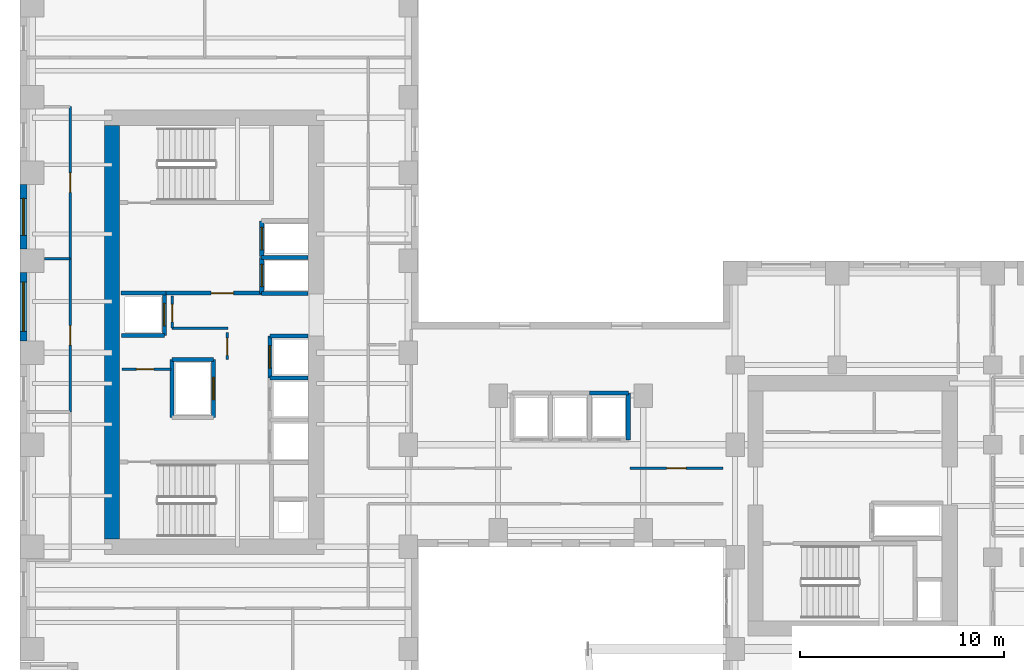
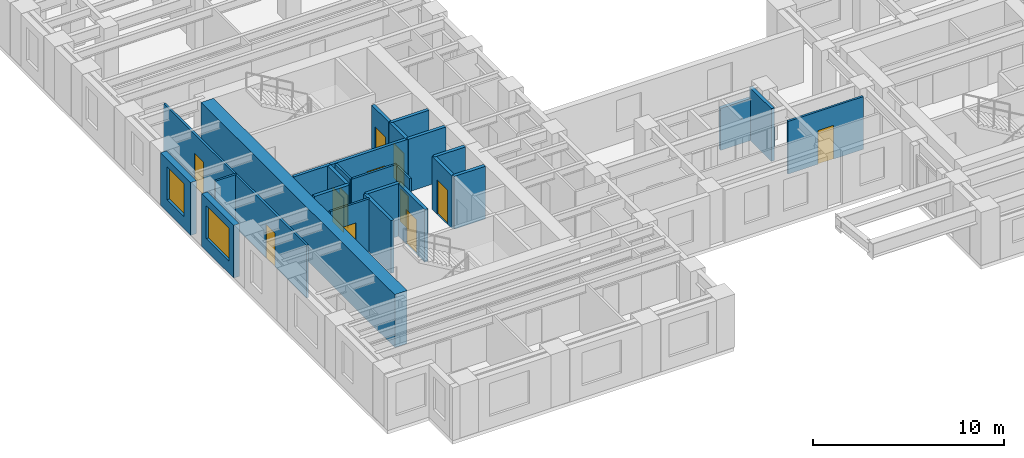
# One storey, part 8 of 14: 27 walls, 12 doors, 2 windows, 14 openings.
"""IFC4 building model written with IfcOpenShell, lengths in metres."""

from ifc_helpers import new_model, si_unit, direction, frame, frame_2d, origin, place, context, subcontext, project, spatial, rectangle, extrude, source, transform, mapped, material, layer, layer_set, type_object, element, fill, save


model = new_model("IFC4")

# Units and contexts
model_context = context("Model", 3, precision=1e-05, world=origin(), true_north=direction((0.0, 1.0)))
body_context = subcontext(model_context, "Body", "Model", "MODEL_VIEW")
ifc_project = project(units=[si_unit("LENGTHUNIT", "METRE"), si_unit("AREAUNIT", "SQUARE_METRE"), si_unit("VOLUMEUNIT", "CUBIC_METRE"), si_unit("PLANEANGLEUNIT", "RADIAN"), si_unit("MASSUNIT", "GRAM", prefix="KILO")], contexts=[model_context])

# Site, building, storey
site_placement = place(None, origin())
site = spatial("IfcSite", under=ifc_project, at=site_placement, CompositionType="ELEMENT")
building_placement = place(site_placement, origin())
building = spatial("IfcBuilding", under=site, at=building_placement, Name="Kharzan Plaza Tower", CompositionType="ELEMENT")
storey_placement = place(building_placement, frame((0.0, 0.0, 131.39990234375)))
storey = spatial("IfcBuildingStorey", under=building, at=storey_placement, Name="L35", CompositionType="ELEMENT", Elevation=131.39990234375)

# Wall, opening, window
ifc_material_1 = material(Name="Concrete C40/50", Category="concrete")
ifc_layer_1 = layer(ifc_material_1, 0.35009765625)
ifc_layer_set_1 = layer_set([ifc_layer_1], Name="Concrete C40/50")
wall_type_1 = type_object("IfcWallType", Name="WL-EXT-MAS-Z2", PredefinedType="SOLIDWALL", material=ifc_layer_set_1)
wall_1_placement = place(storey_placement, frame((0.175048828125, 26.22705078125, 0.0), z_axis=(0.0, 0.0, 1.0), x_axis=(0.0, -1.0, 0.0)))
wall_1 = element("IfcWall", 1, at=wall_1_placement, inside=storey, type_object=wall_type_1, Name="L35 Masonry-Frame Exterior Wall 21", PredefinedType="SOLIDWALL", context=body_context, shape_type="SweptSolid", body=[
    extrude(rectangle(XDim=3.154052734375, YDim=0.35009765625, at=frame_2d((1.5771484375, 0.0))), origin(), (0.0, 0.0, 1.0), 3.364990234375),
])
opening_1_placement = place(wall_1_placement, frame((0.677001953125, 0.0, 0.780029296875)))
opening_1 = element("IfcOpeningElement", 2, at=opening_1_placement, cuts=wall_1, Name="Opening W1", PredefinedType="OPENING", context=body_context, shape_type="SweptSolid", body=[
    extrude(rectangle(XDim=1.800048828125, YDim=2.10009765625, at=frame_2d((0.89990234375, 1.050048828125))), frame((0.0, 0.18505859375, 0.0), z_axis=(0.0, -1.0, 0.0), x_axis=(1.0, 0.0, 0.0)), (0.0, 0.0, 1.0), 0.3701171875),
])
ifc_material_2 = material(Name="Low-E Double Glazing", Category="glass")
window_type_1 = type_object("IfcWindowType", Name="WN-REC-1800x2100", PartitioningType="SINGLE_PANEL", PredefinedType="WINDOW", material=ifc_material_2)
shared_shape_1 = source(origin(), body_context, "Body", "SweptSolid", [
    extrude(rectangle(XDim=1.800048828125, YDim=2.10009765625, at=frame_2d((0.89990234375, 1.050048828125))), frame((0.0, 0.030029296875, 0.0), z_axis=(0.0, -1.0, 0.0), x_axis=(1.0, 0.0, 0.0)), (0.0, 0.0, 1.0), 0.06005859375),
])
window_1_placement = place(opening_1_placement, origin())
window_1 = element("IfcWindow", 3, at=window_1_placement, inside=storey, type_object=window_type_1, Name="L35 Recessed Solar-Control Window 21-1", OverallHeight=2.10009765625, OverallWidth=1.800048828125, PartitioningType="SINGLE_PANEL", PredefinedType="WINDOW", context=body_context, shape_type="MappedRepresentation", body=[
    mapped(shared_shape_1, transform((0.0, 0.0, 0.0), x_axis=(1.0, 0.0, 0.0), y_axis=(0.0, 1.0, 0.0), z_axis=(0.0, 0.0, 1.0))),
])
fill(opening_1, window_1)

wall_2_placement = place(storey_placement, frame((0.175048828125, 21.927001953125, 0.0), z_axis=(0.0, 0.0, 1.0), x_axis=(0.0, -1.0, 0.0)))
wall_2 = element("IfcWall", 4, at=wall_2_placement, inside=storey, type_object=wall_type_1, Name="L35 Masonry-Frame Exterior Wall 22", PredefinedType="SOLIDWALL", context=body_context, shape_type="SweptSolid", body=[
    extrude(rectangle(XDim=3.35400390625, YDim=0.35009765625, at=frame_2d((1.677001953125, 0.0))), origin(), (0.0, 0.0, 1.0), 3.364990234375),
])
opening_2_placement = place(wall_2_placement, frame((0.47705078125, 0.0, 0.780029296875)))
opening_2 = element("IfcOpeningElement", 5, at=opening_2_placement, cuts=wall_2, Name="Opening W2", PredefinedType="OPENING", context=body_context, shape_type="SweptSolid", body=[
    extrude(rectangle(XDim=2.39990234375, YDim=2.10009765625, at=frame_2d((1.199951171875, 1.050048828125))), frame((0.0, 0.18505859375, 0.0), z_axis=(0.0, -1.0, 0.0), x_axis=(1.0, 0.0, 0.0)), (0.0, 0.0, 1.0), 0.3701171875),
])
window_type_2 = type_object("IfcWindowType", Name="WN-REC-2400x2100", PartitioningType="SINGLE_PANEL", PredefinedType="WINDOW", material=ifc_material_2)
shared_shape_2 = source(origin(), body_context, "Body", "SweptSolid", [
    extrude(rectangle(XDim=2.39990234375, YDim=2.10009765625, at=frame_2d((1.199951171875, 1.050048828125))), frame((0.0, 0.030029296875, 0.0), z_axis=(0.0, -1.0, 0.0), x_axis=(1.0, 0.0, 0.0)), (0.0, 0.0, 1.0), 0.06005859375),
])
window_2_placement = place(opening_2_placement, origin())
window_2 = element("IfcWindow", 6, at=window_2_placement, inside=storey, type_object=window_type_2, Name="L35 Wide Recessed Solar-Control Window 22-1", OverallHeight=2.10009765625, OverallWidth=2.39990234375, PartitioningType="SINGLE_PANEL", PredefinedType="WINDOW", context=body_context, shape_type="MappedRepresentation", body=[
    mapped(shared_shape_2, transform((0.0, 0.0, 0.0), x_axis=(1.0, 0.0, 0.0), y_axis=(0.0, 1.0, 0.0), z_axis=(0.0, 0.0, 1.0))),
])
fill(opening_2, window_2)

# Wall, opening, door
ifc_layer_2 = layer(ifc_material_1, 0.179931640625)
ifc_layer_set_2 = layer_set([ifc_layer_2], Name="Concrete C40/50")
wall_type_2 = type_object("IfcWallType", Name="WL-INT-FIRE-180", PredefinedType="PARTITIONING", material=ifc_layer_set_2)
wall_3_placement = place(storey_placement, frame((7.14990234375, 20.919921875, 0.0), z_axis=(0.0, 0.0, 1.0), x_axis=(1.0, 0.0, 0.0)))
wall_3 = element("IfcWall", 7, at=wall_3_placement, inside=storey, type_object=wall_type_2, Name="L35 Interior Partition CA-FF-S", PredefinedType="PARTITIONING", context=body_context, shape_type="SweptSolid", body=[
    extrude(rectangle(XDim=4.68017578125, YDim=0.179931640625, at=frame_2d((2.340087890625, 0.0))), origin(), (0.0, 0.0, 1.0), 3.364990234375),
])
opening_3_placement = place(wall_3_placement, frame((2.199951171875, 0.0, 0.0)))
opening_3 = element("IfcOpeningElement", 8, at=opening_3_placement, cuts=wall_3, Name="Opening FD1", PredefinedType="OPENING", context=body_context, shape_type="SweptSolid", body=[
    extrude(rectangle(XDim=1.10009765625, YDim=2.14990234375, at=frame_2d((0.550048828125, 1.074951171875))), frame((0.0, 0.099853515625, 0.0), z_axis=(0.0, -1.0, 0.0), x_axis=(1.0, 0.0, 0.0)), (0.0, 0.0, 1.0), 0.199951171875),
])
ifc_material_3 = material(Name="Fire-Rated Acoustic Vision-Panel Steel", Category="steel")
door_type_1 = type_object("IfcDoorType", Name="DR-FIRE-LOBBY", OperationType="NOTDEFINED", PredefinedType="DOOR", material=ifc_material_3)
shared_shape_3 = source(origin(), body_context, "Body", "SweptSolid", [
    extrude(rectangle(XDim=1.10009765625, YDim=2.14990234375, at=frame_2d((0.550048828125, 1.074951171875))), frame((0.0, 0.02490234375, 0.0), z_axis=(0.0, -1.0, 0.0), x_axis=(1.0, 0.0, 0.0)), (0.0, 0.0, 1.0), 0.050048828125),
])
door_1_placement = place(opening_3_placement, origin())
door_1 = element("IfcDoor", 9, at=door_1_placement, inside=storey, type_object=door_type_1, Name="L35 Firefighting Lobby Door", OperationType="SINGLE_SWING_RIGHT", OverallHeight=2.14990234375, OverallWidth=1.10009765625, PredefinedType="DOOR", context=body_context, shape_type="MappedRepresentation", body=[
    mapped(shared_shape_3, transform((0.0, 0.0, 0.0), x_axis=(1.0, 0.0, 0.0), y_axis=(0.0, 1.0, 0.0), z_axis=(0.0, 0.0, 1.0))),
])
fill(opening_3, door_1)

ifc_material_4 = material(Name="Fire-Rated Gypsum Board Partition", Category="gypsum")
ifc_layer_3 = layer(ifc_material_4, 0.125)
ifc_layer_set_3 = layer_set([ifc_layer_3], Name="Fire-Rated Gypsum Board Partition")
wall_type_3 = type_object("IfcWallType", Name="WL-INT-PART-125", PredefinedType="PARTITIONING", material=ifc_layer_set_3)
wall_4_placement = place(storey_placement, frame((10.14990234375, 17.679931640625, 0.0), z_axis=(0.0, 0.0, 1.0), x_axis=(0.0, 1.0, 0.0)))
wall_4 = element("IfcWall", 10, at=wall_4_placement, inside=storey, type_object=wall_type_3, Name="L35 Interior Partition CA-K2A", PredefinedType="PARTITIONING", context=body_context, shape_type="SweptSolid", body=[
    extrude(rectangle(XDim=1.320068359375, YDim=0.125, at=frame_2d((0.66015625, 0.0))), origin(), (0.0, 0.0, 1.0), 3.364990234375),
])
opening_4_placement = place(wall_4_placement, frame((0.18505859375, 0.0, 0.0)))
opening_4 = element("IfcOpeningElement", 11, at=opening_4_placement, cuts=wall_4, Name="Opening RD1", PredefinedType="OPENING", context=body_context, shape_type="SweptSolid", body=[
    extrude(rectangle(XDim=0.85009765625, YDim=2.10009765625, at=frame_2d((0.425048828125, 1.050048828125))), frame((0.0, 0.072509765625, 0.0), z_axis=(0.0, -1.0, 0.0), x_axis=(1.0, 0.0, 0.0)), (0.0, 0.0, 1.0), 0.14501953125),
])
ifc_material_5 = material(Name="Powder-Coated Fire-Rated Steel", Category="steel")
door_type_2 = type_object("IfcDoorType", Name="DR-RISER-900", OperationType="NOTDEFINED", PredefinedType="DOOR", material=ifc_material_5)
shared_shape_4 = source(origin(), body_context, "Body", "SweptSolid", [
    extrude(rectangle(XDim=0.85009765625, YDim=2.10009765625, at=frame_2d((0.425048828125, 1.050048828125))), frame((0.0, 0.02490234375, 0.0), z_axis=(0.0, -1.0, 0.0), x_axis=(1.0, 0.0, 0.0)), (0.0, 0.0, 1.0), 0.050048828125),
])
door_2_placement = place(opening_4_placement, origin())
door_2 = element("IfcDoor", 12, at=door_2_placement, inside=storey, type_object=door_type_2, Name="L35 Core Mechanical Store Door", OperationType="SINGLE_SWING_LEFT", OverallHeight=2.10009765625, OverallWidth=0.85009765625, PredefinedType="DOOR", context=body_context, shape_type="MappedRepresentation", body=[
    mapped(shared_shape_4, transform((0.0, 0.0, 0.0), x_axis=(1.0, 0.0, 0.0), y_axis=(0.0, 1.0, 0.0), z_axis=(0.0, 0.0, 1.0))),
])
fill(opening_4, door_2)

wall_5_placement = place(storey_placement, frame((7.449951171875, 19.199951171875, 0.0), z_axis=(0.0, 0.0, 1.0), x_axis=(0.0, 1.0, 0.0)))
wall_5 = element("IfcWall", 13, at=wall_5_placement, inside=storey, type_object=wall_type_3, Name="L35 Interior Partition CA-K2B", PredefinedType="PARTITIONING", context=body_context, shape_type="SweptSolid", body=[
    extrude(rectangle(XDim=1.580078125, YDim=0.125, at=frame_2d((0.7900390625, 0.0))), origin(), (0.0, 0.0, 1.0), 3.364990234375),
])
opening_5_placement = place(wall_5_placement, frame((0.31494140625, 0.0, 0.0)))
opening_5 = element("IfcOpeningElement", 14, at=opening_5_placement, cuts=wall_5, Name="Opening RD1", PredefinedType="OPENING", context=body_context, shape_type="SweptSolid", body=[
    extrude(rectangle(XDim=0.85009765625, YDim=2.10009765625, at=frame_2d((0.425048828125, 1.050048828125))), frame((0.0, 0.072509765625, 0.0), z_axis=(0.0, -1.0, 0.0), x_axis=(1.0, 0.0, 0.0)), (0.0, 0.0, 1.0), 0.14501953125),
])
door_3_placement = place(opening_5_placement, origin())
door_3 = element("IfcDoor", 15, at=door_3_placement, inside=storey, type_object=door_type_2, Name="L35 Core Plant Store Door", OperationType="SINGLE_SWING_RIGHT", OverallHeight=2.10009765625, OverallWidth=0.85009765625, PredefinedType="DOOR", context=body_context, shape_type="MappedRepresentation", body=[
    mapped(shared_shape_4, transform((0.0, 0.0, 0.0), x_axis=(1.0, 0.0, 0.0), y_axis=(0.0, 1.0, 0.0), z_axis=(0.0, 0.0, 1.0))),
])
fill(opening_5, door_3)

wall_6_placement = place(storey_placement, frame((5.0, 17.199951171875, 0.0), z_axis=(0.0, 0.0, 1.0), x_axis=(1.0, 0.0, 0.0)))
wall_6 = element("IfcWall", 16, at=wall_6_placement, inside=storey, type_object=wall_type_3, Name="L35 Interior Partition CA-K2N0", PredefinedType="PARTITIONING", context=body_context, shape_type="SweptSolid", body=[
    extrude(rectangle(XDim=2.39990234375, YDim=0.125, at=frame_2d((1.199951171875, 0.0))), origin(), (0.0, 0.0, 1.0), 3.364990234375),
])
opening_6_placement = place(wall_6_placement, frame((0.699951171875, 0.0, 0.0)))
opening_6 = element("IfcOpeningElement", 17, at=opening_6_placement, cuts=wall_6, Name="Opening RD1", PredefinedType="OPENING", context=body_context, shape_type="SweptSolid", body=[
    extrude(rectangle(XDim=0.85009765625, YDim=2.10009765625, at=frame_2d((0.425048828125, 1.050048828125))), frame((0.0, 0.072509765625, 0.0), z_axis=(0.0, -1.0, 0.0), x_axis=(1.0, 0.0, 0.0)), (0.0, 0.0, 1.0), 0.14501953125),
])
door_4_placement = place(opening_6_placement, origin())
door_4 = element("IfcDoor", 18, at=door_4_placement, inside=storey, type_object=door_type_2, Name="L35 Core Electrical Store Door", OperationType="SINGLE_SWING_RIGHT", OverallHeight=2.10009765625, OverallWidth=0.85009765625, PredefinedType="DOOR", context=body_context, shape_type="MappedRepresentation", body=[
    mapped(shared_shape_4, transform((0.0, 0.0, 0.0), x_axis=(1.0, 0.0, 0.0), y_axis=(0.0, 1.0, 0.0), z_axis=(0.0, 0.0, 1.0))),
])
fill(opening_6, door_4)

wall_7_placement = place(storey_placement, frame((29.85009765625, 12.35009765625, 0.0), z_axis=(0.0, 0.0, 1.0), x_axis=(1.0, 0.0, 0.0)))
wall_7 = element("IfcWall", 19, at=wall_7_placement, inside=storey, type_object=wall_type_3, Name="L35 Interior Partition SH-SPNE1", PredefinedType="PARTITIONING", context=body_context, shape_type="SweptSolid", body=[
    extrude(rectangle(XDim=4.5498046875, YDim=0.125, at=frame_2d((2.27490234375, 0.0))), origin(), (0.0, 0.0, 1.0), 3.364990234375),
])
opening_7_placement = place(wall_7_placement, frame((1.800048828125, 0.0, 0.0)))
opening_7 = element("IfcOpeningElement", 20, at=opening_7_placement, cuts=wall_7, Name="Opening OD1", PredefinedType="OPENING", context=body_context, shape_type="SweptSolid", body=[
    extrude(rectangle(XDim=0.949951171875, YDim=2.14990234375, at=frame_2d((0.47509765625, 1.074951171875))), frame((0.0, 0.072509765625, 0.0), z_axis=(0.0, -1.0, 0.0), x_axis=(1.0, 0.0, 0.0)), (0.0, 0.0, 1.0), 0.14501953125),
])
ifc_material_6 = material(Name="Acoustic Solid-Core Stained Oak", Category="timber")
door_type_3 = type_object("IfcDoorType", Name="DR-OFF-SINGLE", OperationType="NOTDEFINED", PredefinedType="DOOR", material=ifc_material_6)
shared_shape_5 = source(origin(), body_context, "Body", "SweptSolid", [
    extrude(rectangle(XDim=0.949951171875, YDim=2.14990234375, at=frame_2d((0.47509765625, 1.074951171875))), frame((0.0, 0.02490234375, 0.0), z_axis=(0.0, -1.0, 0.0), x_axis=(1.0, 0.0, 0.0)), (0.0, 0.0, 1.0), 0.050048828125),
])
door_5_placement = place(opening_7_placement, origin())
door_5 = element("IfcDoor", 21, at=door_5_placement, inside=storey, type_object=door_type_3, Name="L35 North-East Spine Door", OperationType="SINGLE_SWING_RIGHT", OverallHeight=2.14990234375, OverallWidth=0.949951171875, PredefinedType="DOOR", context=body_context, shape_type="MappedRepresentation", body=[
    mapped(shared_shape_5, transform((0.0, 0.0, 0.0), x_axis=(1.0, 0.0, 0.0), y_axis=(0.0, 1.0, 0.0), z_axis=(0.0, 0.0, 1.0))),
])
fill(opening_7, door_5)

wall_8_placement = place(storey_placement, frame((2.449951171875, 15.10009765625, 0.0), z_axis=(0.0, 0.0, 1.0), x_axis=(0.0, 1.0, 0.0)))
wall_8 = element("IfcWall", 22, at=wall_8_placement, inside=storey, type_object=wall_type_3, Name="L35 Interior Partition SH-WW-2", PredefinedType="PARTITIONING", context=body_context, shape_type="SweptSolid", body=[
    extrude(rectangle(XDim=7.5, YDim=0.125, at=frame_2d((3.75, 0.0))), origin(), (0.0, 0.0, 1.0), 3.364990234375),
])
opening_8_placement = place(wall_8_placement, frame((3.27490234375, 0.0, 0.0)))
opening_8 = element("IfcOpeningElement", 23, at=opening_8_placement, cuts=wall_8, Name="Opening OD1", PredefinedType="OPENING", context=body_context, shape_type="SweptSolid", body=[
    extrude(rectangle(XDim=0.949951171875, YDim=2.14990234375, at=frame_2d((0.47509765625, 1.074951171875))), frame((0.0, 0.072509765625, 0.0), z_axis=(0.0, -1.0, 0.0), x_axis=(1.0, 0.0, 0.0)), (0.0, 0.0, 1.0), 0.14501953125),
])
door_6_placement = place(opening_8_placement, origin())
door_6 = element("IfcDoor", 24, at=door_6_placement, inside=storey, type_object=door_type_3, Name="L35 Client Briefing Room Door", OperationType="SINGLE_SWING_RIGHT", OverallHeight=2.14990234375, OverallWidth=0.949951171875, PredefinedType="DOOR", context=body_context, shape_type="MappedRepresentation", body=[
    mapped(shared_shape_5, transform((0.0, 0.0, 0.0), x_axis=(1.0, 0.0, 0.0), y_axis=(0.0, 1.0, 0.0), z_axis=(0.0, 0.0, 1.0))),
])
fill(opening_8, door_6)

wall_9_placement = place(storey_placement, frame((2.449951171875, 22.60009765625, 0.0), z_axis=(0.0, 0.0, 1.0), x_axis=(0.0, 1.0, 0.0)))
wall_9 = element("IfcWall", 25, at=wall_9_placement, inside=storey, type_object=wall_type_3, Name="L35 Interior Partition SH-WW-3", PredefinedType="PARTITIONING", context=body_context, shape_type="SweptSolid", body=[
    extrude(rectangle(XDim=7.449951171875, YDim=0.125, at=frame_2d((3.72509765625, 0.0))), origin(), (0.0, 0.0, 1.0), 3.364990234375),
])
opening_9_placement = place(wall_9_placement, frame((3.25, 0.0, 0.0)))
opening_9 = element("IfcOpeningElement", 26, at=opening_9_placement, cuts=wall_9, Name="Opening OD1", PredefinedType="OPENING", context=body_context, shape_type="SweptSolid", body=[
    extrude(rectangle(XDim=0.949951171875, YDim=2.14990234375, at=frame_2d((0.47509765625, 1.074951171875))), frame((0.0, 0.072509765625, 0.0), z_axis=(0.0, -1.0, 0.0), x_axis=(1.0, 0.0, 0.0)), (0.0, 0.0, 1.0), 0.14501953125),
])
door_7_placement = place(opening_9_placement, origin())
door_7 = element("IfcDoor", 27, at=door_7_placement, inside=storey, type_object=door_type_3, Name="L35 Executive Boardroom Door", OperationType="SINGLE_SWING_LEFT", OverallHeight=2.14990234375, OverallWidth=0.949951171875, PredefinedType="DOOR", context=body_context, shape_type="MappedRepresentation", body=[
    mapped(shared_shape_5, transform((0.0, 0.0, 0.0), x_axis=(1.0, 0.0, 0.0), y_axis=(0.0, 1.0, 0.0), z_axis=(0.0, 0.0, 1.0))),
])
fill(opening_9, door_7)

ifc_layer_4 = layer(ifc_material_1, 0.199951171875)
ifc_layer_set_4 = layer_set([ifc_layer_4], Name="Concrete C40/50")
wall_type_4 = type_object("IfcWallType", Name="WL-INT-SHAFT-200", PredefinedType="PARTITIONING", material=ifc_layer_set_4)
wall_10_placement = place(storey_placement, frame((11.830078125, 20.89990234375, 0.0), z_axis=(0.0, 0.0, 1.0), x_axis=(0.0, 1.0, 0.0)))
wall_10 = element("IfcWall", 28, at=wall_10_placement, inside=storey, type_object=wall_type_4, Name="L35 Interior Partition SHF-FFL-1-W", PredefinedType="PARTITIONING", context=body_context, shape_type="SweptSolid", body=[
    extrude(rectangle(XDim=1.760009765625, YDim=0.199951171875, at=frame_2d((0.8798828125, 0.0))), origin(), (0.0, 0.0, 1.0), 3.364990234375),
])
opening_10_placement = place(wall_10_placement, frame((0.330078125, 0.0, 0.0)))
opening_10 = element("IfcOpeningElement", 29, at=opening_10_placement, cuts=wall_10, Name="Opening LD", PredefinedType="OPENING", context=body_context, shape_type="SweptSolid", body=[
    extrude(rectangle(XDim=1.10009765625, YDim=2.199951171875, at=frame_2d((0.550048828125, 1.10009765625))), frame((0.0, 0.10986328125, 0.0), z_axis=(0.0, -1.0, 0.0), x_axis=(1.0, 0.0, 0.0)), (0.0, 0.0, 1.0), 0.219970703125),
])
ifc_material_7 = material(Name="Brushed Stainless Steel", Category="steel")
door_type_4 = type_object("IfcDoorType", Name="DR-LIFT-SLIDE", OperationType="SLIDING_TO_LEFT", PredefinedType="DOOR", material=ifc_material_7)
shared_shape_6 = source(origin(), body_context, "Body", "SweptSolid", [
    extrude(rectangle(XDim=1.10009765625, YDim=2.199951171875, at=frame_2d((0.550048828125, 1.10009765625))), frame((0.0, 0.02490234375, 0.0), z_axis=(0.0, -1.0, 0.0), x_axis=(1.0, 0.0, 0.0)), (0.0, 0.0, 1.0), 0.050048828125),
])
door_8_placement = place(opening_10_placement, origin())
door_8 = element("IfcDoor", 30, at=door_8_placement, inside=storey, type_object=door_type_4, Name="L35 Firefighting Lift FFL-1 Sliding Landing Door", OperationType="SLIDING_TO_LEFT", OverallHeight=2.199951171875, OverallWidth=1.10009765625, PredefinedType="DOOR", context=body_context, shape_type="MappedRepresentation", body=[
    mapped(shared_shape_6, transform((0.0, 0.0, 0.0), x_axis=(1.0, 0.0, 0.0), y_axis=(0.0, 1.0, 0.0), z_axis=(0.0, 0.0, 1.0))),
])
fill(opening_10, door_8)

wall_11_placement = place(storey_placement, frame((11.830078125, 22.699951171875, 0.0), z_axis=(0.0, 0.0, 1.0), x_axis=(0.0, 1.0, 0.0)))
wall_11 = element("IfcWall", 31, at=wall_11_placement, inside=storey, type_object=wall_type_4, Name="L35 Interior Partition SHF-FFL-2-W", PredefinedType="PARTITIONING", context=body_context, shape_type="SweptSolid", body=[
    extrude(rectangle(XDim=1.760009765625, YDim=0.199951171875, at=frame_2d((0.8798828125, 0.0))), origin(), (0.0, 0.0, 1.0), 3.364990234375),
])
opening_11_placement = place(wall_11_placement, frame((0.330078125, 0.0, 0.0)))
opening_11 = element("IfcOpeningElement", 32, at=opening_11_placement, cuts=wall_11, Name="Opening LD", PredefinedType="OPENING", context=body_context, shape_type="SweptSolid", body=[
    extrude(rectangle(XDim=1.10009765625, YDim=2.199951171875, at=frame_2d((0.550048828125, 1.10009765625))), frame((0.0, 0.10986328125, 0.0), z_axis=(0.0, -1.0, 0.0), x_axis=(1.0, 0.0, 0.0)), (0.0, 0.0, 1.0), 0.219970703125),
])
door_9_placement = place(opening_11_placement, origin())
door_9 = element("IfcDoor", 33, at=door_9_placement, inside=storey, type_object=door_type_4, Name="L35 Firefighting Lift FFL-2 Sliding Landing Door", OperationType="SLIDING_TO_LEFT", OverallHeight=2.199951171875, OverallWidth=1.10009765625, PredefinedType="DOOR", context=body_context, shape_type="MappedRepresentation", body=[
    mapped(shared_shape_6, transform((0.0, 0.0, 0.0), x_axis=(1.0, 0.0, 0.0), y_axis=(0.0, 1.0, 0.0), z_axis=(0.0, 0.0, 1.0))),
])
fill(opening_11, door_9)

wall_12_placement = place(storey_placement, frame((12.22998046875, 16.77001953125, 0.0), z_axis=(0.0, 0.0, 1.0), x_axis=(0.0, 1.0, 0.0)))
wall_12 = element("IfcWall", 34, at=wall_12_placement, inside=storey, type_object=wall_type_4, Name="L35 Interior Partition SHF-PL-H3-W", PredefinedType="PARTITIONING", context=body_context, shape_type="SweptSolid", body=[
    extrude(rectangle(XDim=2.050048828125, YDim=0.199951171875, at=frame_2d((1.02490234375, 0.0))), origin(), (0.0, 0.0, 1.0), 3.364990234375),
])
opening_12_placement = place(wall_12_placement, frame((0.47509765625, 0.0, 0.0)))
opening_12 = element("IfcOpeningElement", 35, at=opening_12_placement, cuts=wall_12, Name="Opening LD", PredefinedType="OPENING", context=body_context, shape_type="SweptSolid", body=[
    extrude(rectangle(XDim=1.10009765625, YDim=2.199951171875, at=frame_2d((0.550048828125, 1.10009765625))), frame((0.0, 0.10986328125, 0.0), z_axis=(0.0, -1.0, 0.0), x_axis=(1.0, 0.0, 0.0)), (0.0, 0.0, 1.0), 0.219970703125),
])
door_10_placement = place(opening_12_placement, origin())
door_10 = element("IfcDoor", 36, at=door_10_placement, inside=storey, type_object=door_type_4, Name="L35 High-Rise Passenger Lift PL-H3 Sliding Landing Door", OperationType="SLIDING_TO_LEFT", OverallHeight=2.199951171875, OverallWidth=1.10009765625, PredefinedType="DOOR", context=body_context, shape_type="MappedRepresentation", body=[
    mapped(shared_shape_6, transform((0.0, 0.0, 0.0), x_axis=(1.0, 0.0, 0.0), y_axis=(0.0, 1.0, 0.0), z_axis=(0.0, 0.0, 1.0))),
])
fill(opening_12, door_10)

wall_13_placement = place(storey_placement, frame((7.070068359375, 18.840087890625, 0.0), z_axis=(0.0, 0.0, 1.0), x_axis=(0.0, 1.0, 0.0)))
wall_13 = element("IfcWall", 37, at=wall_13_placement, inside=storey, type_object=wall_type_4, Name="L35 Interior Partition SHF-PL-H4-E", PredefinedType="PARTITIONING", context=body_context, shape_type="SweptSolid", body=[
    extrude(rectangle(XDim=2.059814453125, YDim=0.199951171875, at=frame_2d((1.02978515625, 0.0))), origin(), (0.0, 0.0, 1.0), 3.364990234375),
])
opening_13_placement = place(wall_13_placement, frame((0.47998046875, 0.0, 0.0)))
opening_13 = element("IfcOpeningElement", 38, at=opening_13_placement, cuts=wall_13, Name="Opening LD", PredefinedType="OPENING", context=body_context, shape_type="SweptSolid", body=[
    extrude(rectangle(XDim=1.10009765625, YDim=2.199951171875, at=frame_2d((0.550048828125, 1.10009765625))), frame((0.0, 0.10986328125, 0.0), z_axis=(0.0, -1.0, 0.0), x_axis=(1.0, 0.0, 0.0)), (0.0, 0.0, 1.0), 0.219970703125),
])
door_11_placement = place(opening_13_placement, origin())
door_11 = element("IfcDoor", 39, at=door_11_placement, inside=storey, type_object=door_type_4, Name="L35 High-Rise Passenger Lift PL-H4 Sliding Landing Door", OperationType="SLIDING_TO_LEFT", OverallHeight=2.199951171875, OverallWidth=1.10009765625, PredefinedType="DOOR", context=body_context, shape_type="MappedRepresentation", body=[
    mapped(shared_shape_6, transform((0.0, 0.0, 0.0), x_axis=(1.0, 0.0, 0.0), y_axis=(0.0, 1.0, 0.0), z_axis=(0.0, 0.0, 1.0))),
])
fill(opening_13, door_11)

wall_14_placement = place(storey_placement, frame((9.469970703125, 14.830078125, 0.0), z_axis=(0.0, 0.0, 1.0), x_axis=(0.0, 1.0, 0.0)))
wall_14 = element("IfcWall", 40, at=wall_14_placement, inside=storey, type_object=wall_type_4, Name="L35 Interior Partition SHF-SVL-1-E", PredefinedType="PARTITIONING", context=body_context, shape_type="SweptSolid", body=[
    extrude(rectangle(XDim=2.83984375, YDim=0.199951171875, at=frame_2d((1.419921875, 0.0))), origin(), (0.0, 0.0, 1.0), 3.364990234375),
])
opening_14_placement = place(wall_14_placement, frame((0.8701171875, 0.0, 0.0)))
opening_14 = element("IfcOpeningElement", 41, at=opening_14_placement, cuts=wall_14, Name="Opening LD", PredefinedType="OPENING", context=body_context, shape_type="SweptSolid", body=[
    extrude(rectangle(XDim=1.10009765625, YDim=2.199951171875, at=frame_2d((0.550048828125, 1.10009765625))), frame((0.0, 0.10986328125, 0.0), z_axis=(0.0, -1.0, 0.0), x_axis=(1.0, 0.0, 0.0)), (0.0, 0.0, 1.0), 0.219970703125),
])
door_12_placement = place(opening_14_placement, origin())
door_12 = element("IfcDoor", 42, at=door_12_placement, inside=storey, type_object=door_type_4, Name="L35 Service Lift SVL-1 Sliding Landing Door", OperationType="SLIDING_TO_LEFT", OverallHeight=2.199951171875, OverallWidth=1.10009765625, PredefinedType="DOOR", context=body_context, shape_type="MappedRepresentation", body=[
    mapped(shared_shape_6, transform((0.0, 0.0, 0.0), x_axis=(1.0, 0.0, 0.0), y_axis=(0.0, 1.0, 0.0), z_axis=(0.0, 0.0, 1.0))),
])
fill(opening_14, door_12)

# Walls
shared_shape_7 = source(origin(), body_context, "Body", "SweptSolid", [
    extrude(rectangle(XDim=2.72998046875, YDim=0.125, at=frame_2d((1.364990234375, 0.0))), origin(), (0.0, 0.0, 1.0), 3.364990234375),
])
wall_15_placement = place(storey_placement, frame((7.449951171875, 19.199951171875, 0.0), z_axis=(0.0, 0.0, 1.0), x_axis=(1.0, 0.0, 0.0)))
element("IfcWall", 43, at=wall_15_placement, inside=storey, type_object=wall_type_3, Name="L35 Interior Partition CA-K2M", PredefinedType="PARTITIONING", context=body_context, shape_type="MappedRepresentation", body=[
    mapped(shared_shape_7, transform((0.0, 0.0, 0.0), x_axis=(1.0, 0.0, 0.0), y_axis=(0.0, 1.0, 0.0), z_axis=(0.0, 0.0, 1.0))),
])
shared_shape_8 = source(origin(), body_context, "Body", "SweptSolid", [
    extrude(rectangle(XDim=2.090087890625, YDim=0.199951171875, at=frame_2d((1.044921875, 0.0))), origin(), (0.0, 0.0, 1.0), 3.364990234375),
])
wall_16_placement = place(storey_placement, frame((4.97998046875, 18.840087890625, 0.0), z_axis=(0.0, 0.0, 1.0), x_axis=(1.0, 0.0, 0.0)))
element("IfcWall", 44, at=wall_16_placement, inside=storey, type_object=wall_type_4, Name="L35 Interior Partition SHF-PL-H4-S", PredefinedType="PARTITIONING", context=body_context, shape_type="MappedRepresentation", body=[
    mapped(shared_shape_8, transform((0.0, 0.0, 0.0), x_axis=(1.0, 0.0, 0.0), y_axis=(0.0, 1.0, 0.0), z_axis=(0.0, 0.0, 1.0))),
])
shared_shape_9 = source(origin(), body_context, "Body", "SweptSolid", [
    extrude(rectangle(XDim=2.2900390625, YDim=0.199951171875, at=frame_2d((1.14501953125, 0.0))), origin(), (0.0, 0.0, 1.0), 3.364990234375),
])
wall_17_placement = place(storey_placement, frame((29.77001953125, 13.72998046875, 0.0), z_axis=(0.0, 0.0, 1.0), x_axis=(0.0, 1.0, 0.0)))
element("IfcWall", 45, at=wall_17_placement, inside=storey, type_object=wall_type_4, Name="L35 Interior Partition SHF-PL-M3-E", PredefinedType="PARTITIONING", context=body_context, shape_type="MappedRepresentation", body=[
    mapped(shared_shape_9, transform((0.0, 0.0, 0.0), x_axis=(1.0, 0.0, 0.0), y_axis=(0.0, 1.0, 0.0), z_axis=(0.0, 0.0, 1.0))),
])
shared_shape_10 = source(origin(), body_context, "Body", "SweptSolid", [
    extrude(rectangle(XDim=2.0400390625, YDim=0.199951171875, at=frame_2d((1.02001953125, 0.0))), origin(), (0.0, 0.0, 1.0), 3.364990234375),
])
wall_18_placement = place(storey_placement, frame((7.429931640625, 17.669921875, 0.0), z_axis=(0.0, 0.0, 1.0), x_axis=(1.0, 0.0, 0.0)))
element("IfcWall", 46, at=wall_18_placement, inside=storey, type_object=wall_type_4, Name="L35 Interior Partition SHF-SVL-1-N", PredefinedType="PARTITIONING", context=body_context, shape_type="MappedRepresentation", body=[
    mapped(shared_shape_10, transform((0.0, 0.0, 0.0), x_axis=(1.0, 0.0, 0.0), y_axis=(0.0, 1.0, 0.0), z_axis=(0.0, 0.0, 1.0))),
])
shared_shape_11 = source(origin(), body_context, "Body", "SweptSolid", [
    extrude(rectangle(XDim=2.83984375, YDim=0.199951171875, at=frame_2d((1.419921875, 0.0))), origin(), (0.0, 0.0, 1.0), 3.364990234375),
])
wall_19_placement = place(storey_placement, frame((7.429931640625, 14.830078125, 0.0), z_axis=(0.0, 0.0, 1.0), x_axis=(0.0, 1.0, 0.0)))
element("IfcWall", 47, at=wall_19_placement, inside=storey, type_object=wall_type_4, Name="L35 Interior Partition SHF-SVL-1-W", PredefinedType="PARTITIONING", context=body_context, shape_type="MappedRepresentation", body=[
    mapped(shared_shape_11, transform((0.0, 0.0, 0.0), x_axis=(1.0, 0.0, 0.0), y_axis=(0.0, 1.0, 0.0), z_axis=(0.0, 0.0, 1.0))),
])
ifc_material_8 = material(Name="Concrete C60/75", Category="concrete")
ifc_layer_5 = layer(ifc_material_8, 0.75)
ifc_layer_set_5 = layer_set([ifc_layer_5], Name="Concrete C60/75")
wall_type_5 = type_object("IfcWallType", Name="WL-CORE-750", PredefinedType="SHEAR", material=ifc_layer_set_5)
shared_shape_12 = source(origin(), body_context, "Body", "SweptSolid", [
    extrude(rectangle(XDim=20.25, YDim=0.75, at=frame_2d((10.125, 0.0))), origin(), (0.0, 0.0, 1.0), 3.380126953125),
])
wall_20_placement = place(storey_placement, frame((4.5, 8.875, 0.0), z_axis=(0.0, 0.0, 1.0), x_axis=(0.0, 1.0, 0.0)))
element("IfcWall", 48, at=wall_20_placement, inside=storey, type_object=wall_type_5, Name="L35 CORE-A west RC shear wall", PredefinedType="SHEAR", context=body_context, shape_type="MappedRepresentation", body=[
    mapped(shared_shape_12, transform((0.0, 0.0, 0.0), x_axis=(1.0, 0.0, 0.0), y_axis=(0.0, 1.0, 0.0), z_axis=(0.0, 0.0, 1.0))),
])
shared_shape_13 = source(origin(), body_context, "Body", "SweptSolid", [
    extrude(rectangle(XDim=2.199951171875, YDim=0.179931640625, at=frame_2d((1.10009765625, 0.0))), origin(), (0.0, 0.0, 1.0), 3.364990234375),
])
wall_21_placement = place(storey_placement, frame((4.949951171875, 20.919921875, 0.0), z_axis=(0.0, 0.0, 1.0), x_axis=(1.0, 0.0, 0.0)))
element("IfcWall", 49, at=wall_21_placement, inside=storey, type_object=wall_type_2, Name="L35 Interior Partition CA-FF-SW", PredefinedType="PARTITIONING", context=body_context, shape_type="MappedRepresentation", body=[
    mapped(shared_shape_13, transform((0.0, 0.0, 0.0), x_axis=(1.0, 0.0, 0.0), y_axis=(0.0, 1.0, 0.0), z_axis=(0.0, 0.0, 1.0))),
])
shared_shape_14 = source(origin(), body_context, "Body", "SweptSolid", [
    extrude(rectangle(XDim=1.260009765625, YDim=0.125, at=frame_2d((0.6298828125, 0.0))), origin(), (0.0, 0.0, 1.0), 3.364990234375),
])
wall_22_placement = place(storey_placement, frame((1.18994140625, 22.60009765625, 0.0), z_axis=(0.0, 0.0, 1.0), x_axis=(1.0, 0.0, 0.0)))
element("IfcWall", 50, at=wall_22_placement, inside=storey, type_object=wall_type_3, Name="L35 Interior Partition SH-WH-2", PredefinedType="PARTITIONING", context=body_context, shape_type="MappedRepresentation", body=[
    mapped(shared_shape_14, transform((0.0, 0.0, 0.0), x_axis=(1.0, 0.0, 0.0), y_axis=(0.0, 1.0, 0.0), z_axis=(0.0, 0.0, 1.0))),
])
shared_shape_15 = source(origin(), body_context, "Body", "SweptSolid", [
    extrude(rectangle(XDim=2.264892578125, YDim=0.199951171875, at=frame_2d((1.13232421875, 0.0))), origin(), (0.0, 0.0, 1.0), 3.364990234375),
])
for number, where, z_axis, x_axis, name in (
    (51, (11.830078125, 22.659912109375, 0.0), (0.0, 0.0, 1.0), (1.0, 0.0, 0.0), "L35 Interior Partition SHF-FFL-1-N"),
    (52, (11.830078125, 20.89990234375, 0.0), (0.0, 0.0, 1.0), (1.0, 0.0, 0.0), "L35 Interior Partition SHF-FFL-1-S"),
):
    element("IfcWall", number, at=place(storey_placement, frame(where, z_axis=z_axis, x_axis=x_axis)), inside=storey, type_object=wall_type_4, Name=name, PredefinedType="PARTITIONING", context=body_context, shape_type="MappedRepresentation", body=[
        mapped(shared_shape_15, transform((0.0, 0.0, 0.0), x_axis=(1.0, 0.0, 0.0), y_axis=(0.0, 1.0, 0.0), z_axis=(0.0, 0.0, 1.0))),
    ])
shared_shape_16 = source(origin(), body_context, "Body", "SweptSolid", [
    extrude(rectangle(XDim=1.864990234375, YDim=0.199951171875, at=frame_2d((0.9326171875, 0.0))), origin(), (0.0, 0.0, 1.0), 3.364990234375),
])
for number, where, z_axis, x_axis, name in (
    (53, (12.22998046875, 16.77001953125, 0.0), (0.0, 0.0, 1.0), (1.0, 0.0, 0.0), "L35 Interior Partition SHF-PL-H2-N"),
    (54, (12.22998046875, 18.820068359375, 0.0), (0.0, 0.0, 1.0), (1.0, 0.0, 0.0), "L35 Interior Partition SHF-PL-H3-N"),
):
    element("IfcWall", number, at=place(storey_placement, frame(where, z_axis=z_axis, x_axis=x_axis)), inside=storey, type_object=wall_type_4, Name=name, PredefinedType="PARTITIONING", context=body_context, shape_type="MappedRepresentation", body=[
        mapped(shared_shape_16, transform((0.0, 0.0, 0.0), x_axis=(1.0, 0.0, 0.0), y_axis=(0.0, 1.0, 0.0), z_axis=(0.0, 0.0, 1.0))),
    ])
shared_shape_17 = source(origin(), body_context, "Body", "SweptSolid", [
    extrude(rectangle(XDim=1.89013671875, YDim=0.199951171875, at=frame_2d((0.945068359375, 0.0))), origin(), (0.0, 0.0, 1.0), 2.677001953125),
])
wall_23_placement = place(storey_placement, frame((27.8798828125, 16.02001953125, 0.0), z_axis=(0.0, 0.0, 1.0), x_axis=(1.0, 0.0, 0.0)))
element("IfcWall", 55, at=wall_23_placement, inside=storey, type_object=wall_type_4, Name="L35 Interior Partition SHF-PL-M3-N", PredefinedType="PARTITIONING", context=body_context, shape_type="MappedRepresentation", body=[
    mapped(shared_shape_17, transform((0.0, 0.0, 0.0), x_axis=(1.0, 0.0, 0.0), y_axis=(0.0, 1.0, 0.0), z_axis=(0.0, 0.0, 1.0))),
])

save(model, "model.ifc")
